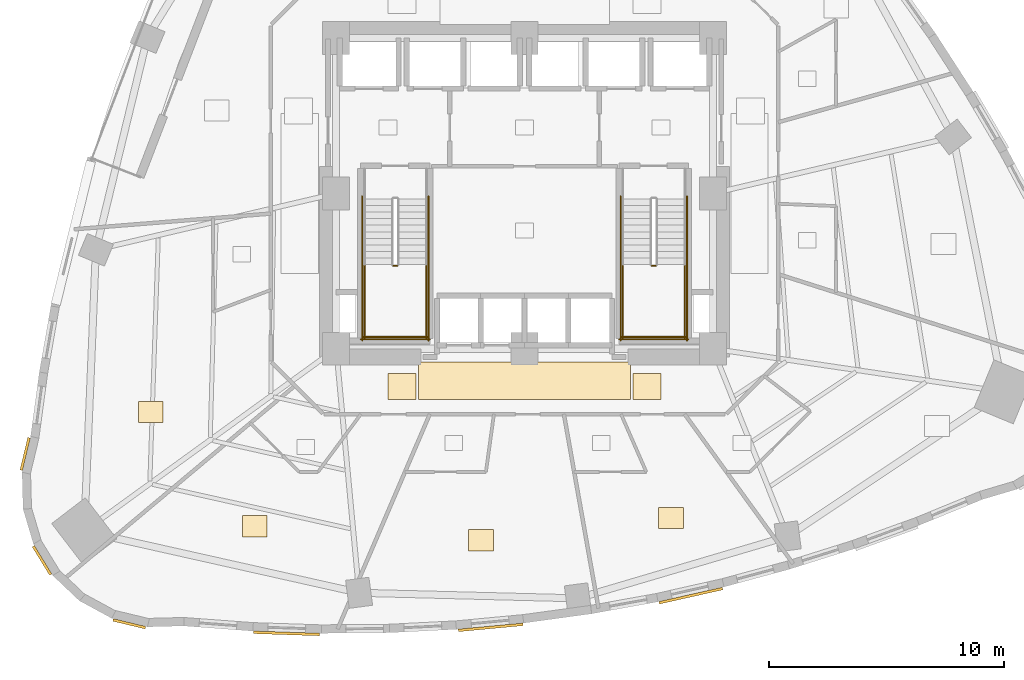
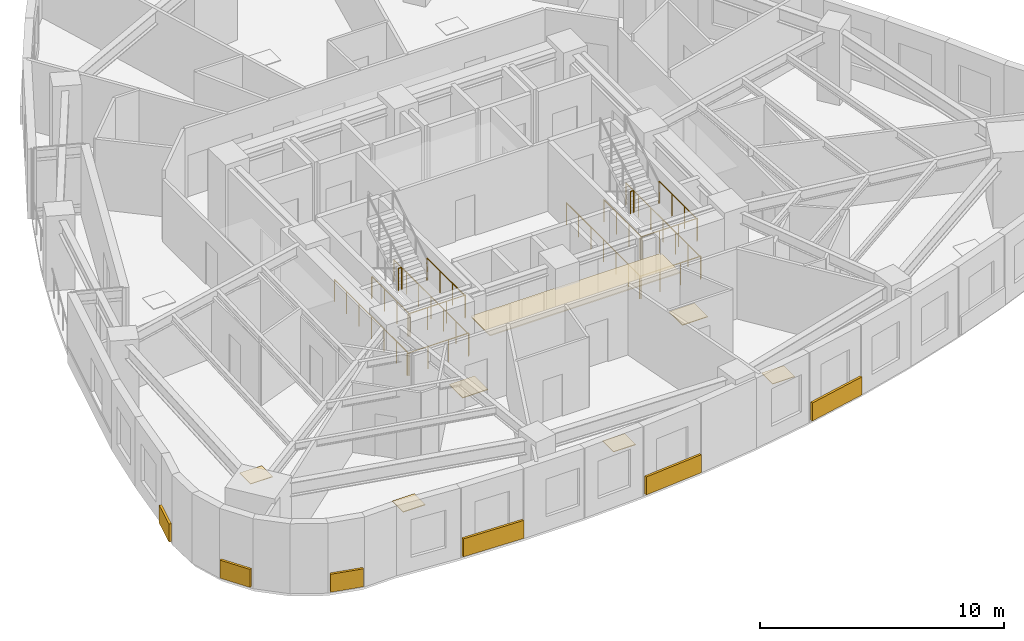
# One storey, part 10 of 12: 14 railings, 13 coverings.
"""IFC4 building model written with IfcOpenShell, lengths in metres."""

from ifc_helpers import new_model, si_unit, direction, frame, origin, origin_2d, place, context, subcontext, project, spatial, rectangle, circle, extrude, material, layer, layer_set, type_object, element, save


model = new_model("IFC4")

# Units and contexts
model_context = context("Model", 3, precision=1e-05, world=origin(), true_north=direction((0.0, 1.0)))
body_context = subcontext(model_context, "Body", "Model", "MODEL_VIEW")
ifc_project = project(units=[si_unit("LENGTHUNIT", "METRE"), si_unit("AREAUNIT", "SQUARE_METRE"), si_unit("VOLUMEUNIT", "CUBIC_METRE"), si_unit("PLANEANGLEUNIT", "RADIAN"), si_unit("MASSUNIT", "GRAM", prefix="KILO")], contexts=[model_context])

# Site, building, storey
site_placement = place(None, origin())
site = spatial("IfcSite", under=ifc_project, at=site_placement, CompositionType="ELEMENT")
building_placement = place(site_placement, origin())
building = spatial("IfcBuilding", under=site, at=building_placement, Name="Ndelora Gate Hotel", CompositionType="ELEMENT")
storey_placement = place(building_placement, frame((0.0, 0.0, 68.0)))
storey = spatial("IfcBuildingStorey", under=building, at=storey_placement, Name="L16", CompositionType="ELEMENT", Elevation=68.0)

# Coverings
ifc_material_1 = material(Name="Perforated Acoustic Gypsum Board", Category="gypsum")
ifc_layer_1 = layer(ifc_material_1, 0.054931640625)
ifc_layer_set_1 = layer_set([ifc_layer_1], Name="Perforated Acoustic Gypsum Board")
covering_type_1 = type_object("IfcCoveringType", Name="COV-CEIL-AC60", PredefinedType="CEILING", material=ifc_layer_set_1)
covering_1_placement = place(storey_placement, frame((0.0, -7.9599609375, 2.65234375), z_axis=(0.0, 0.0, 1.0), x_axis=(1.0, 0.0, 0.0)))
element("IfcCovering", 1, at=covering_1_placement, inside=storey, type_object=covering_type_1, Name="L16 Guest Corridor Acoustic Ceiling S", PredefinedType="CEILING", context=body_context, shape_type="SweptSolid", body=[
    extrude(rectangle(XDim=9.0, YDim=1.580078125, at=origin_2d()), origin(), (0.0, 0.0, 1.0), 0.054931640625),
])
ifc_material_2 = material(Name="Terracotta Fired Clay Brick Slip Cladding", Category="masonry")
ifc_layer_2 = layer(ifc_material_2, 0.110107421875)
ifc_layer_set_2 = layer_set([ifc_layer_2], Name="Terracotta Fired Clay Brick Slip Cladding")
covering_type_2 = type_object("IfcCoveringType", Name="COV-CLAD-BRK", PredefinedType="CLADDING", material=ifc_layer_set_2)
for number, where, z_axis, x_axis, name in (
    (2, (-21.212158203125, -11.068603515625, 0.10009765625), (0.0, 0.0, 1.0), (0.233445363856, 0.972369920398, 0.0), "L16 Rounded-Corner Brick Cladding Band 19"),
    (3, (-20.49560546875, -15.592041015625, 0.10009765625), (0.0, 0.0, 1.0), (-0.522498564716, 0.852640164354, 0.0), "L16 Rounded-Corner Brick Cladding Band 22"),
    (4, (-16.79052734375, -18.283935546875, 0.10009765625), (0.0, 0.0, 1.0), (-0.972369920398, 0.233445363856, 0.0), "L16 Rounded-Corner Brick Cladding Band 25"),
):
    element("IfcCovering", number, at=place(storey_placement, frame(where, z_axis=z_axis, x_axis=x_axis)), inside=storey, type_object=covering_type_2, Name=name, PredefinedType="CLADDING", context=body_context, shape_type="SweptSolid", body=[
        extrude(rectangle(XDim=1.4140625, YDim=0.110107421875, at=origin_2d()), origin(), (0.0, 0.0, 1.0), 0.89990234375),
    ])
covering_2_placement = place(storey_placement, frame((-10.110107421875, -18.692138671875, 0.10009765625), z_axis=(0.0, 0.0, 1.0), x_axis=(-0.99945598739, 0.032980740915, 0.0)))
element("IfcCovering", 5, at=covering_2_placement, inside=storey, type_object=covering_type_2, Name="L16 Rounded-Corner Brick Cladding Band 28", PredefinedType="CLADDING", context=body_context, shape_type="SweptSolid", body=[
    extrude(rectangle(XDim=2.81103515625, YDim=0.110107421875, at=origin_2d()), origin(), (0.0, 0.0, 1.0), 0.89990234375),
])
for number, where, z_axis, x_axis, name in (
    (6, (-1.43701171875, -18.43603515625, 0.10009765625), (0.0, 0.0, 1.0), (0.995676196569, 0.092891934994, 0.0), "L16 Rounded-Corner Brick Cladding Band 31"),
    (7, (7.063720703125, -17.089599609375, 0.10009765625), (0.0, 0.0, 1.0), (0.97564952142, 0.219335385547, 0.0), "L16 Rounded-Corner Brick Cladding Band 34"),
):
    element("IfcCovering", number, at=place(storey_placement, frame(where, z_axis=z_axis, x_axis=x_axis)), inside=storey, type_object=covering_type_2, Name=name, PredefinedType="CLADDING", context=body_context, shape_type="SweptSolid", body=[
        extrude(rectangle(XDim=2.764892578125, YDim=0.110107421875, at=origin_2d()), origin(), (0.0, 0.0, 1.0), 0.89990234375),
    ])
ifc_material_3 = material(Name="Engineered Highland Oak Parquet", Category="wood")
ifc_layer_3 = layer(ifc_material_3, 0.030029296875)
ifc_layer_set_3 = layer_set([ifc_layer_3], Name="Engineered Highland Oak Parquet")
covering_type_3 = type_object("IfcCoveringType", Name="COV-FLR-PARQ", PredefinedType="FLOORING", material=ifc_layer_set_3)
for number, where, z_axis, x_axis, name in (
    (8, (-15.8798828125, -9.28173828125, 0.0), (0.0, 0.0, 1.0), (1.0, 0.0, 0.0), "L16 Superior Double Junior Suite 1901 Oak Parquet Flooring"),
    (9, (-11.46484375, -14.14208984375, 0.0), (0.0, 0.0, 1.0), (1.0, 0.0, 0.0), "L16 Twin Junior Suite 1902 Oak Parquet Flooring"),
    (10, (-1.84521484375, -14.730224609375, 0.0), (0.0, 0.0, 1.0), (1.0, 0.0, 0.0), "L16 Corner Junior Suite 1903 Oak Parquet Flooring"),
    (11, (6.22509765625, -13.789306640625, 0.0), (0.0, 0.0, 1.0), (1.0, 0.0, 0.0), "L16 Executive King Guest Room 1904 Oak Parquet Flooring"),
):
    element("IfcCovering", number, at=place(storey_placement, frame(where, z_axis=z_axis, x_axis=x_axis)), inside=storey, type_object=covering_type_3, Name=name, PredefinedType="FLOORING", context=body_context, shape_type="SweptSolid", body=[
        extrude(rectangle(XDim=1.050048828125, YDim=0.89990234375, at=origin_2d()), origin(), (0.0, 0.0, 1.0), 0.030029296875),
    ])
ifc_material_4 = material(Name="Polished Highland Stone Terrazzo", Category="masonry")
ifc_layer_4 = layer(ifc_material_4, 0.034912109375)
ifc_layer_set_4 = layer_set([ifc_layer_4], Name="Polished Highland Stone Terrazzo")
covering_type_4 = type_object("IfcCoveringType", Name="COV-FLR-TERZ", PredefinedType="FLOORING", material=ifc_layer_set_4)
for number, where, z_axis, x_axis, name in (
    (12, (-5.199951171875, -8.199951171875, 0.0), (0.0, 0.0, 1.0), (1.0, 0.0, 0.0), "L16 Corridor Threshold Terrazzo Inlay SW"),
    (13, (5.199951171875, -8.199951171875, 0.0), (0.0, 0.0, 1.0), (1.0, 0.0, 0.0), "L16 Corridor Threshold Terrazzo Inlay SE"),
):
    element("IfcCovering", number, at=place(storey_placement, frame(where, z_axis=z_axis, x_axis=x_axis)), inside=storey, type_object=covering_type_4, Name=name, PredefinedType="FLOORING", context=body_context, shape_type="SweptSolid", body=[
        extrude(rectangle(XDim=1.199951171875, YDim=1.10009765625, at=origin_2d()), origin(), (0.0, 0.0, 1.0), 0.034912109375),
    ])

# Railings
ifc_material_5 = material(Name="Painted Galvanized Steel Balustrade", Category="steel")
ifc_layer_5 = layer(ifc_material_5, 0.06005859375)
ifc_layer_set_5 = layer_set([ifc_layer_5], Name="Painted Galvanized Steel Balustrade")
railing_type = type_object("IfcRailingType", Name="RL-STAIR-GD", PredefinedType="GUARDRAIL", material=ifc_layer_set_5)
railing_1_placement = place(storey_placement, frame((-5.570068359375, -3.080078125, 1.875)))
element("IfcRailing", 14, at=railing_1_placement, inside=storey, type_object=railing_type, Name="L16 ST4 stair guard 2", PredefinedType="GUARDRAIL", context=body_context, shape_type="SweptSolid", body=[
    extrude(circle(Radius=0.02392578125, at=origin_2d()), frame((0.0, 0.0, 1.10595703125), z_axis=(1.0, 0.0, 0.0), x_axis=(0.0, 1.0, 0.0)), (0.0, 0.0, 1.0), 0.16015625),
    extrude(circle(Radius=0.02099609375, at=origin_2d()), origin(), (0.0, 0.0, 1.0), 1.081787109375),
    extrude(circle(Radius=0.02099609375, at=origin_2d()), frame((0.16015625, 0.0, 0.0)), (0.0, 0.0, 1.0), 1.081787109375),
])
for number, where, name in (
    (15, (-6.800048828125, -3.030029296875, 1.875), "L16 ST4 stair guard 3"),
    (16, (-4.179931640625, -3.030029296875, 1.875), "L16 ST4 stair guard 4"),
):
    element("IfcRailing", number, at=place(storey_placement, frame(where)), inside=storey, type_object=railing_type, Name=name, PredefinedType="GUARDRAIL", context=body_context, shape_type="SweptSolid", body=[
        extrude(circle(Radius=0.02392578125, at=origin_2d()), frame((0.0, 0.0, 1.10595703125), z_axis=(0.0, -1.0, 0.0), x_axis=(1.0, 0.0, 0.0)), (0.0, 0.0, 1.0), 3.119873046875),
        extrude(circle(Radius=0.02099609375, at=origin_2d()), origin(), (0.0, 0.0, 1.0), 1.081787109375),
        extrude(circle(Radius=0.02099609375, at=origin_2d()), frame((0.0, -1.0400390625, 0.0)), (0.0, 0.0, 1.0), 1.081787109375),
        extrude(circle(Radius=0.02099609375, at=origin_2d()), frame((0.0, -2.079833984375, 0.0)), (0.0, 0.0, 1.0), 1.081787109375),
        extrude(circle(Radius=0.02099609375, at=origin_2d()), frame((0.0, -3.119873046875, 0.0)), (0.0, 0.0, 1.0), 1.081787109375),
    ])
railing_2_placement = place(storey_placement, frame((-6.85009765625, -6.10009765625, 1.875)))
element("IfcRailing", 17, at=railing_2_placement, inside=storey, type_object=railing_type, Name="L16 ST4 stair guard 5", PredefinedType="GUARDRAIL", context=body_context, shape_type="SweptSolid", body=[
    extrude(circle(Radius=0.02392578125, at=origin_2d()), frame((0.0, 0.0, 1.10595703125), z_axis=(1.0, 0.0, 0.0), x_axis=(0.0, 1.0, 0.0)), (0.0, 0.0, 1.0), 2.72021484375),
    extrude(circle(Radius=0.02099609375, at=origin_2d()), origin(), (0.0, 0.0, 1.0), 1.081787109375),
    extrude(circle(Radius=0.02099609375, at=origin_2d()), frame((0.90673828125, 0.0, 0.0)), (0.0, 0.0, 1.0), 1.081787109375),
    extrude(circle(Radius=0.02099609375, at=origin_2d()), frame((1.8134765625, 0.0, 0.0)), (0.0, 0.0, 1.0), 1.081787109375),
    extrude(circle(Radius=0.02099609375, at=origin_2d()), frame((2.72021484375, 0.0, 0.0)), (0.0, 0.0, 1.0), 1.081787109375),
])
for number, where, name in (
    (18, (-6.89990234375, -0.1298828125, 0.0), "L16 ST4 stair guard 10"),
    (19, (-4.080078125, -0.1298828125, 0.0), "L16 ST4 stair guard 11"),
):
    element("IfcRailing", number, at=place(storey_placement, frame(where)), inside=storey, type_object=railing_type, Name=name, PredefinedType="GUARDRAIL", context=body_context, shape_type="SweptSolid", body=[
        extrude(circle(Radius=0.02392578125, at=origin_2d()), frame((0.0, 0.0, 1.10595703125), z_axis=(0.0, -1.0, 0.0), x_axis=(1.0, 0.0, 0.0)), (0.0, 0.0, 1.0), 6.1201171875),
        extrude(circle(Radius=0.02099609375, at=origin_2d()), origin(), (0.0, 0.0, 1.0), 1.081787109375),
        extrude(circle(Radius=0.02099609375, at=origin_2d()), frame((0.0, -1.02001953125, 0.0)), (0.0, 0.0, 1.0), 1.081787109375),
        extrude(circle(Radius=0.02099609375, at=origin_2d()), frame((0.0, -2.0400390625, 0.0)), (0.0, 0.0, 1.0), 1.081787109375),
        extrude(circle(Radius=0.02099609375, at=origin_2d()), frame((0.0, -3.06005859375, 0.0)), (0.0, 0.0, 1.0), 1.081787109375),
        extrude(circle(Radius=0.02099609375, at=origin_2d()), frame((0.0, -4.080078125, 0.0)), (0.0, 0.0, 1.0), 1.081787109375),
        extrude(circle(Radius=0.02099609375, at=origin_2d()), frame((0.0, -5.10009765625, 0.0)), (0.0, 0.0, 1.0), 1.081787109375),
        extrude(circle(Radius=0.02099609375, at=origin_2d()), frame((0.0, -6.1201171875, 0.0)), (0.0, 0.0, 1.0), 1.081787109375),
    ])
railing_3_placement = place(storey_placement, frame((-6.949951171875, -6.199951171875, 0.0)))
element("IfcRailing", 20, at=railing_3_placement, inside=storey, type_object=railing_type, Name="L16 ST4 stair guard 12", PredefinedType="GUARDRAIL", context=body_context, shape_type="SweptSolid", body=[
    extrude(circle(Radius=0.02392578125, at=origin_2d()), frame((0.0, 0.0, 1.10595703125), z_axis=(1.0, 0.0, 0.0), x_axis=(0.0, 1.0, 0.0)), (0.0, 0.0, 1.0), 2.919921875),
    extrude(circle(Radius=0.02099609375, at=origin_2d()), origin(), (0.0, 0.0, 1.0), 1.081787109375),
    extrude(circle(Radius=0.02099609375, at=origin_2d()), frame((0.973388671875, 0.0, 0.0)), (0.0, 0.0, 1.0), 1.081787109375),
    extrude(circle(Radius=0.02099609375, at=origin_2d()), frame((1.946533203125, 0.0, 0.0)), (0.0, 0.0, 1.0), 1.081787109375),
    extrude(circle(Radius=0.02099609375, at=origin_2d()), frame((2.919921875, 0.0, 0.0)), (0.0, 0.0, 1.0), 1.081787109375),
])
railing_4_placement = place(storey_placement, frame((5.409912109375, -3.080078125, 1.875)))
element("IfcRailing", 21, at=railing_4_placement, inside=storey, type_object=railing_type, Name="L16 ST5 stair guard 2", PredefinedType="GUARDRAIL", context=body_context, shape_type="SweptSolid", body=[
    extrude(circle(Radius=0.02392578125, at=origin_2d()), frame((0.0, 0.0, 1.10595703125), z_axis=(1.0, 0.0, 0.0), x_axis=(0.0, 1.0, 0.0)), (0.0, 0.0, 1.0), 0.16015625),
    extrude(circle(Radius=0.02099609375, at=origin_2d()), origin(), (0.0, 0.0, 1.0), 1.081787109375),
    extrude(circle(Radius=0.02099609375, at=origin_2d()), frame((0.16015625, 0.0, 0.0)), (0.0, 0.0, 1.0), 1.081787109375),
])
for number, where, name in (
    (22, (4.179931640625, -3.030029296875, 1.875), "L16 ST5 stair guard 3"),
    (23, (6.800048828125, -3.030029296875, 1.875), "L16 ST5 stair guard 4"),
):
    element("IfcRailing", number, at=place(storey_placement, frame(where)), inside=storey, type_object=railing_type, Name=name, PredefinedType="GUARDRAIL", context=body_context, shape_type="SweptSolid", body=[
        extrude(circle(Radius=0.02392578125, at=origin_2d()), frame((0.0, 0.0, 1.10595703125), z_axis=(0.0, -1.0, 0.0), x_axis=(1.0, 0.0, 0.0)), (0.0, 0.0, 1.0), 3.119873046875),
        extrude(circle(Radius=0.02099609375, at=origin_2d()), origin(), (0.0, 0.0, 1.0), 1.081787109375),
        extrude(circle(Radius=0.02099609375, at=origin_2d()), frame((0.0, -1.0400390625, 0.0)), (0.0, 0.0, 1.0), 1.081787109375),
        extrude(circle(Radius=0.02099609375, at=origin_2d()), frame((0.0, -2.079833984375, 0.0)), (0.0, 0.0, 1.0), 1.081787109375),
        extrude(circle(Radius=0.02099609375, at=origin_2d()), frame((0.0, -3.119873046875, 0.0)), (0.0, 0.0, 1.0), 1.081787109375),
    ])
railing_5_placement = place(storey_placement, frame((4.1298828125, -6.10009765625, 1.875)))
element("IfcRailing", 24, at=railing_5_placement, inside=storey, type_object=railing_type, Name="L16 ST5 stair guard 5", PredefinedType="GUARDRAIL", context=body_context, shape_type="SweptSolid", body=[
    extrude(circle(Radius=0.02392578125, at=origin_2d()), frame((0.0, 0.0, 1.10595703125), z_axis=(1.0, 0.0, 0.0), x_axis=(0.0, 1.0, 0.0)), (0.0, 0.0, 1.0), 2.72021484375),
    extrude(circle(Radius=0.02099609375, at=origin_2d()), origin(), (0.0, 0.0, 1.0), 1.081787109375),
    extrude(circle(Radius=0.02099609375, at=origin_2d()), frame((0.90673828125, 0.0, 0.0)), (0.0, 0.0, 1.0), 1.081787109375),
    extrude(circle(Radius=0.02099609375, at=origin_2d()), frame((1.8134765625, 0.0, 0.0)), (0.0, 0.0, 1.0), 1.081787109375),
    extrude(circle(Radius=0.02099609375, at=origin_2d()), frame((2.72021484375, 0.0, 0.0)), (0.0, 0.0, 1.0), 1.081787109375),
])
for number, where, name in (
    (25, (4.080078125, -0.1298828125, 0.0), "L16 ST5 stair guard 10"),
    (26, (6.89990234375, -0.1298828125, 0.0), "L16 ST5 stair guard 11"),
):
    element("IfcRailing", number, at=place(storey_placement, frame(where)), inside=storey, type_object=railing_type, Name=name, PredefinedType="GUARDRAIL", context=body_context, shape_type="SweptSolid", body=[
        extrude(circle(Radius=0.02392578125, at=origin_2d()), frame((0.0, 0.0, 1.10595703125), z_axis=(0.0, -1.0, 0.0), x_axis=(1.0, 0.0, 0.0)), (0.0, 0.0, 1.0), 6.1201171875),
        extrude(circle(Radius=0.02099609375, at=origin_2d()), origin(), (0.0, 0.0, 1.0), 1.081787109375),
        extrude(circle(Radius=0.02099609375, at=origin_2d()), frame((0.0, -1.02001953125, 0.0)), (0.0, 0.0, 1.0), 1.081787109375),
        extrude(circle(Radius=0.02099609375, at=origin_2d()), frame((0.0, -2.0400390625, 0.0)), (0.0, 0.0, 1.0), 1.081787109375),
        extrude(circle(Radius=0.02099609375, at=origin_2d()), frame((0.0, -3.06005859375, 0.0)), (0.0, 0.0, 1.0), 1.081787109375),
        extrude(circle(Radius=0.02099609375, at=origin_2d()), frame((0.0, -4.080078125, 0.0)), (0.0, 0.0, 1.0), 1.081787109375),
        extrude(circle(Radius=0.02099609375, at=origin_2d()), frame((0.0, -5.10009765625, 0.0)), (0.0, 0.0, 1.0), 1.081787109375),
        extrude(circle(Radius=0.02099609375, at=origin_2d()), frame((0.0, -6.1201171875, 0.0)), (0.0, 0.0, 1.0), 1.081787109375),
    ])
railing_6_placement = place(storey_placement, frame((4.030029296875, -6.199951171875, 0.0)))
element("IfcRailing", 27, at=railing_6_placement, inside=storey, type_object=railing_type, Name="L16 ST5 stair guard 12", PredefinedType="GUARDRAIL", context=body_context, shape_type="SweptSolid", body=[
    extrude(circle(Radius=0.02392578125, at=origin_2d()), frame((0.0, 0.0, 1.10595703125), z_axis=(1.0, 0.0, 0.0), x_axis=(0.0, 1.0, 0.0)), (0.0, 0.0, 1.0), 2.919921875),
    extrude(circle(Radius=0.02099609375, at=origin_2d()), origin(), (0.0, 0.0, 1.0), 1.081787109375),
    extrude(circle(Radius=0.02099609375, at=origin_2d()), frame((0.973388671875, 0.0, 0.0)), (0.0, 0.0, 1.0), 1.081787109375),
    extrude(circle(Radius=0.02099609375, at=origin_2d()), frame((1.946533203125, 0.0, 0.0)), (0.0, 0.0, 1.0), 1.081787109375),
    extrude(circle(Radius=0.02099609375, at=origin_2d()), frame((2.919921875, 0.0, 0.0)), (0.0, 0.0, 1.0), 1.081787109375),
])

save(model, "model.ifc")
